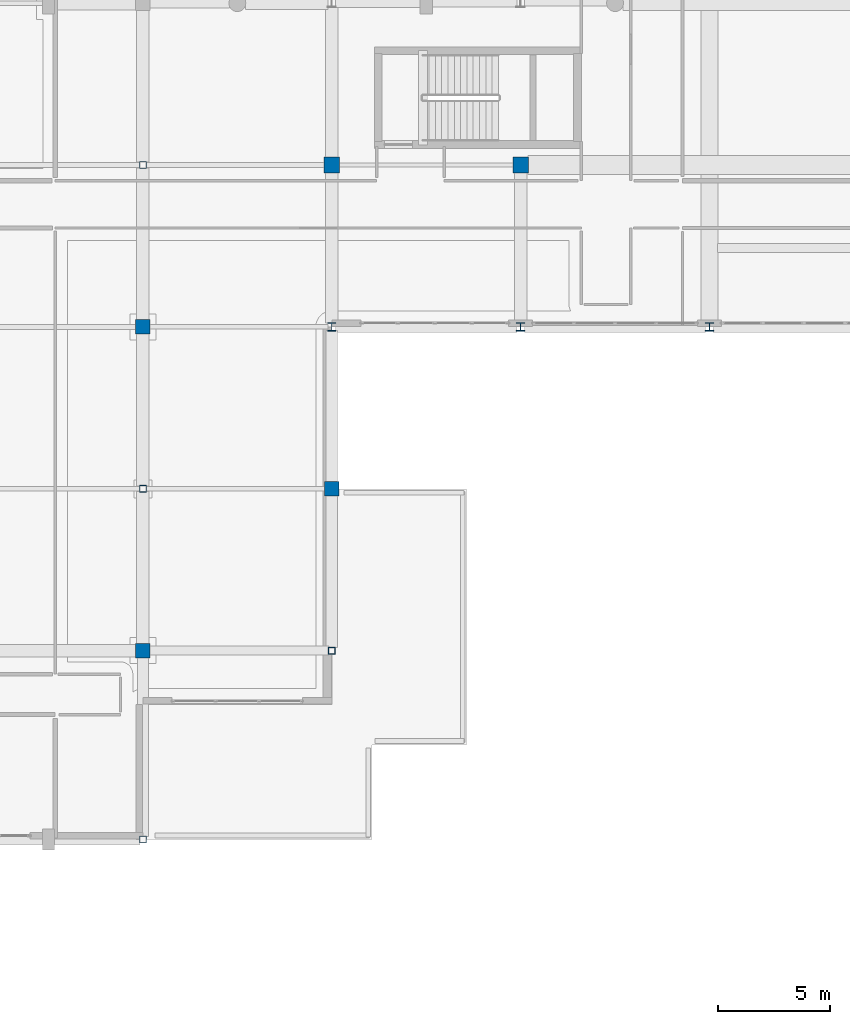
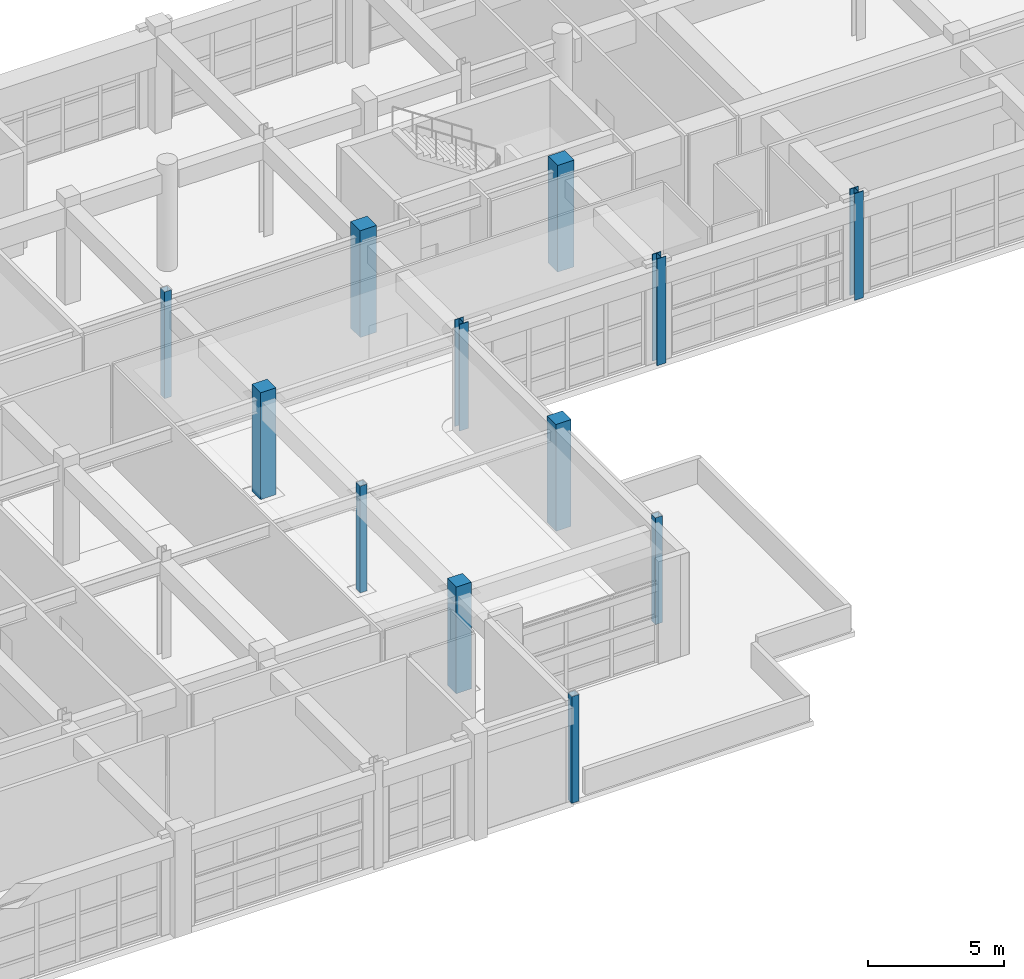
# One storey, part 11 of 123: 12 columns.
"""IFC4 building model written with IfcOpenShell, lengths in metres."""

from ifc_helpers import new_model, si_unit, direction, frame, origin, origin_2d, place, context, subcontext, project, spatial, rectangle, hollow_rectangle, i_section, extrude, material, material_profile, profile_set, type_object, element, save


model = new_model("IFC4")

# Units and contexts
model_context = context("Model", 3, precision=1e-05, world=origin(), true_north=direction((0.0, 1.0)))
body_context = subcontext(model_context, "Body", "Model", "MODEL_VIEW")
ifc_project = project(units=[si_unit("LENGTHUNIT", "METRE"), si_unit("AREAUNIT", "SQUARE_METRE"), si_unit("VOLUMEUNIT", "CUBIC_METRE"), si_unit("PLANEANGLEUNIT", "RADIAN"), si_unit("MASSUNIT", "GRAM", prefix="KILO")], contexts=[model_context])

# Site, building, storey
site_placement = place(None, origin())
site = spatial("IfcSite", under=ifc_project, at=site_placement, CompositionType="ELEMENT")
building_placement = place(site_placement, origin())
building = spatial("IfcBuilding", under=site, at=building_placement, Name="Quendrovan Civic Courthouse", CompositionType="ELEMENT")
storey_placement = place(building_placement, frame((0.0, 0.0, 5.39990234375)))
storey = spatial("IfcBuildingStorey", under=building, at=storey_placement, Name="L02", CompositionType="ELEMENT", Elevation=5.39990234375)

# Columns
ifc_material_1 = material(Name="Concrete C45/55", Category="concrete")
ifc_material_profile_1 = material_profile(ifc_material_1, rectangle(XDim=0.64990234375, YDim=0.64990234375, at=origin_2d()), Name="RC-COL-650x650")
ifc_profile_set_1 = profile_set([ifc_material_profile_1], Name="Concrete C45/55")
column_type_1 = type_object("IfcColumnType", Name="COL-RC650", PredefinedType="COLUMN", material=ifc_profile_set_1)
for number, where, z_axis, x_axis, name in (
    (1, (100.800048828125, 73.199951171875, 0.0), (0.0, 0.0, 1.0), (1.0, 0.0, 0.0), "L02 Column 13-K"),
    (2, (100.800048828125, 87.60009765625, 0.0), (0.0, 0.0, 1.0), (1.0, 0.0, 0.0), "L02 Column 13-M"),
    (3, (109.199951171875, 80.39990234375, 0.0), (0.0, 0.0, 1.0), (1.0, 0.0, 0.0), "L02 Column 14-L"),
):
    element("IfcColumn", number, at=place(storey_placement, frame(where, z_axis=z_axis, x_axis=x_axis)), inside=storey, type_object=column_type_1, Name=name, PredefinedType="COLUMN", context=body_context, shape_type="SweptSolid", body=[
        extrude(rectangle(XDim=0.64990234375, YDim=0.64990234375, at=origin_2d()), origin(), (0.0, 0.0, 1.0), 4.800048828125),
    ])
ifc_material_profile_2 = material_profile(ifc_material_1, rectangle(XDim=0.699951171875, YDim=0.699951171875, at=origin_2d()), Name="RC-COL-700x700")
ifc_profile_set_2 = profile_set([ifc_material_profile_2], Name="Concrete C45/55")
column_type_2 = type_object("IfcColumnType", Name="COL-RC700", PredefinedType="COLUMN", material=ifc_profile_set_2)
for number, where, z_axis, x_axis, name in (
    (4, (109.199951171875, 94.800048828125, 0.0), (0.0, 0.0, 1.0), (1.0, 0.0, 0.0), "L02 Column 14-N"),
    (5, (117.60009765625, 94.800048828125, 0.0), (0.0, 0.0, 1.0), (1.0, 0.0, 0.0), "L02 Column 15-N"),
):
    element("IfcColumn", number, at=place(storey_placement, frame(where, z_axis=z_axis, x_axis=x_axis)), inside=storey, type_object=column_type_2, Name=name, PredefinedType="COLUMN", context=body_context, shape_type="SweptSolid", body=[
        extrude(rectangle(XDim=0.699951171875, YDim=0.699951171875, at=origin_2d()), origin(), (0.0, 0.0, 1.0), 4.800048828125),
    ])
ifc_material_2 = material(Name="Steel ASTM A500 Grade C", Category="steel")
ifc_material_profile_3 = material_profile(ifc_material_2, hollow_rectangle(XDim=0.300048828125, YDim=0.300048828125, WallThickness=0.011962890625, at=origin_2d()), Name="HSS300x300x12")
ifc_profile_set_3 = profile_set([ifc_material_profile_3], Name="Steel ASTM A500 Grade C")
column_type_3 = type_object("IfcColumnType", Name="COL-STL-HSS300S", PredefinedType="COLUMN", material=ifc_profile_set_3)
for number, where, z_axis, x_axis, name in (
    (6, (100.800048828125, 64.800048828125, 0.0), (0.0, 0.0, 1.0), (1.0, 0.0, 0.0), "L02 Column 13-J"),
    (7, (100.800048828125, 80.39990234375, 0.0), (0.0, 0.0, 1.0), (1.0, 0.0, 0.0), "L02 Column 13-L"),
    (8, (100.800048828125, 94.800048828125, 0.0), (0.0, 0.0, 1.0), (1.0, 0.0, 0.0), "L02 Column 13-N"),
    (9, (109.199951171875, 73.199951171875, 0.0), (0.0, 0.0, 1.0), (1.0, 0.0, 0.0), "L02 Column 14-K"),
):
    element("IfcColumn", number, at=place(storey_placement, frame(where, z_axis=z_axis, x_axis=x_axis)), inside=storey, type_object=column_type_3, Name=name, PredefinedType="COLUMN", context=body_context, shape_type="SweptSolid", body=[
        extrude(hollow_rectangle(XDim=0.300048828125, YDim=0.300048828125, WallThickness=0.011962890625, at=origin_2d()), origin(), (0.0, 0.0, 1.0), 4.800048828125),
    ])
ifc_material_3 = material(Name="Steel ASTM A992 Grade 50", Category="steel")
ifc_material_profile_4 = material_profile(ifc_material_3, i_section(OverallWidth=0.3740234375, OverallDepth=0.3720703125, WebThickness=0.016357421875, FlangeThickness=0.026123046875, at=origin_2d()), Name="W14X132")
ifc_profile_set_4 = profile_set([ifc_material_profile_4], Name="Steel ASTM A992 Grade 50")
column_type_4 = type_object("IfcColumnType", Name="COL-STL-W14X132", PredefinedType="COLUMN", material=ifc_profile_set_4)
for number, where, z_axis, x_axis, name in (
    (10, (109.199951171875, 87.60009765625, 0.0), (0.0, 0.0, 1.0), (1.0, 0.0, 0.0), "L02 Column 14-M"),
    (11, (117.60009765625, 87.60009765625, 0.0), (0.0, 0.0, 1.0), (1.0, 0.0, 0.0), "L02 Column 15-M"),
    (12, (126.0, 87.60009765625, 0.0), (0.0, 0.0, 1.0), (1.0, 0.0, 0.0), "L02 Column 16-M"),
):
    element("IfcColumn", number, at=place(storey_placement, frame(where, z_axis=z_axis, x_axis=x_axis)), inside=storey, type_object=column_type_4, Name=name, PredefinedType="COLUMN", context=body_context, shape_type="SweptSolid", body=[
        extrude(i_section(OverallWidth=0.3740234375, OverallDepth=0.3720703125, WebThickness=0.016357421875, FlangeThickness=0.026123046875, at=origin_2d()), origin(), (0.0, 0.0, 1.0), 4.800048828125),
    ])

save(model, "model.ifc")
